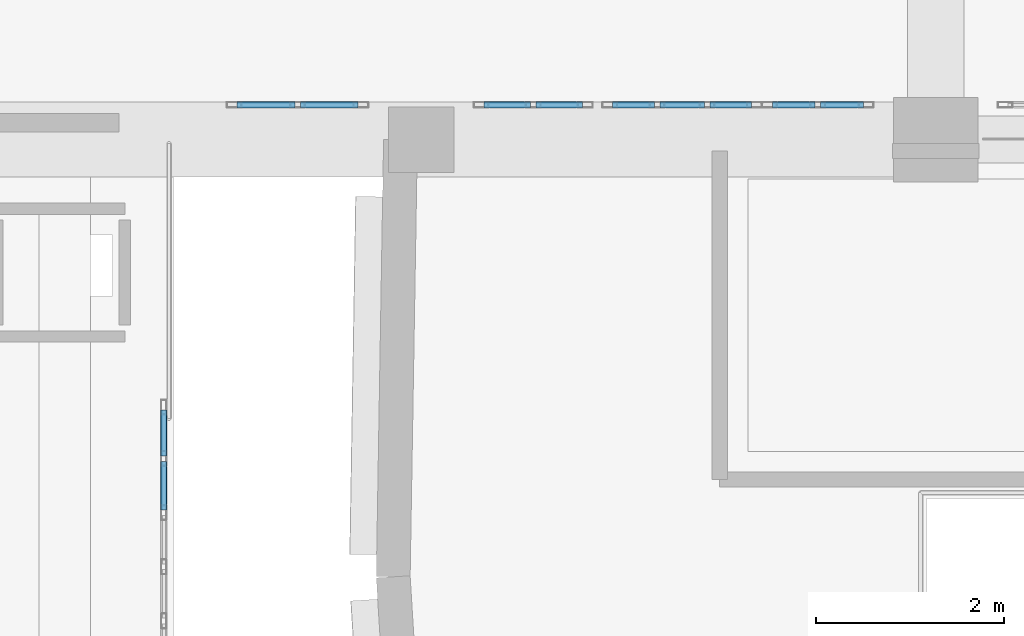
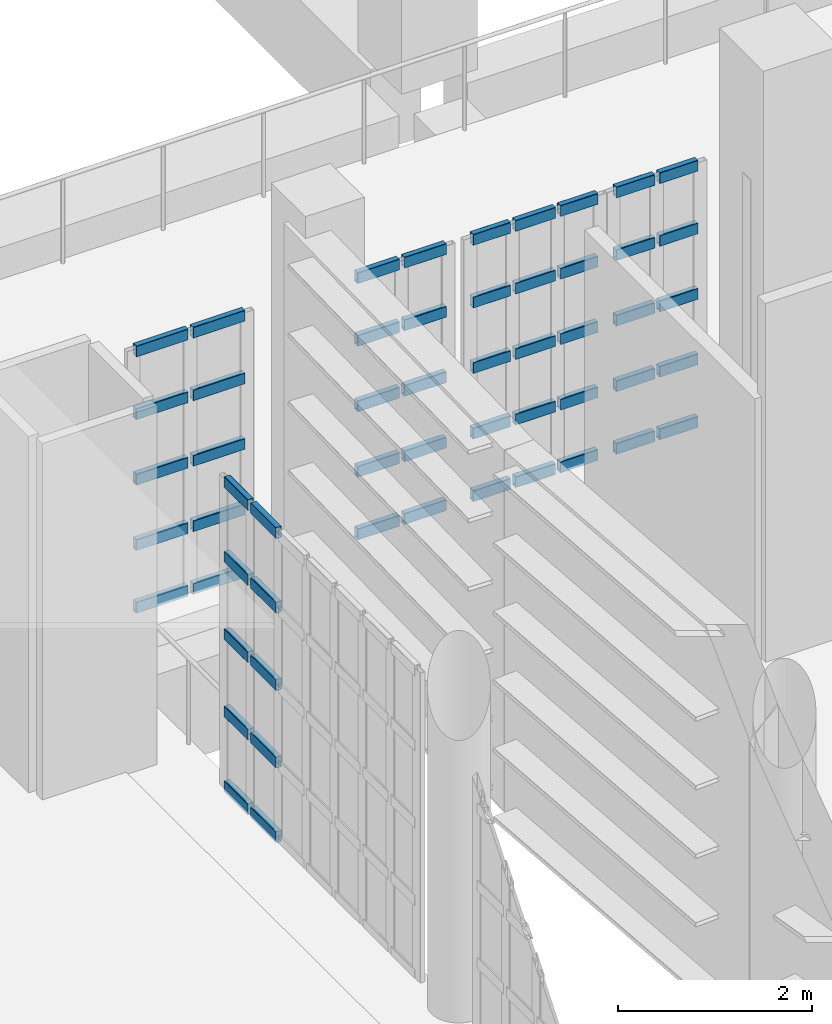
# One storey, part 63 of 104: 55 members, 5 elements without a shape of their own.
"""IFC4 building model written with IfcOpenShell, lengths in metres."""

from ifc_helpers import new_model, si_unit, direction, frame, origin, origin_2d, place, context, subcontext, project, spatial, hollow_rectangle, extrude, material, material_profile, profile_set, type_object, element, aggregate, save


model = new_model("IFC4")

# Units and contexts
model_context = context("Model", 3, precision=1e-05, world=origin(), true_north=direction((0.0, 1.0)))
body_context = subcontext(model_context, "Body", "Model", "MODEL_VIEW")
ifc_project = project(units=[si_unit("LENGTHUNIT", "METRE"), si_unit("AREAUNIT", "SQUARE_METRE"), si_unit("VOLUMEUNIT", "CUBIC_METRE"), si_unit("PLANEANGLEUNIT", "RADIAN"), si_unit("MASSUNIT", "GRAM", prefix="KILO")], contexts=[model_context])

# Site, building, storey
site_placement = place(None, origin())
site = spatial("IfcSite", under=ifc_project, at=site_placement, CompositionType="ELEMENT")
building_placement = place(site_placement, origin())
building = spatial("IfcBuilding", under=site, at=building_placement, Name="Kaelora Sail Theatre", CompositionType="ELEMENT")
storey_placement = place(building_placement, frame((0.0, 0.0, 5.39990234375)))
storey = spatial("IfcBuildingStorey", under=building, at=storey_placement, Name="L01", CompositionType="ELEMENT", Elevation=5.39990234375)

# Curtain wall, members
ifc_material_1 = material(Name="Anodised aluminium and solar-control low-E IGU", Category="aluminium")
curtain_wall_type = type_object("IfcCurtainWallType", Name="ARC-CW-CW-FOY2", PredefinedType="NOTDEFINED", material=ifc_material_1)
curtain_wall_1_placement = place(storey_placement, origin())
curtain_wall_1 = element("IfcCurtainWall", 1, at=curtain_wall_1_placement, inside=storey, type_object=curtain_wall_type, Name="West Interstitial Foyer East Glazed Return L01-03", PredefinedType="NOTDEFINED")
ifc_material_2 = material(Name="Anodised aluminium 6063-T6", Category="aluminium")
ifc_material_profile = material_profile(ifc_material_2, hollow_rectangle(XDim=0.070068359375, YDim=0.139892578125, WallThickness=0.00390625, InnerFilletRadius=0.00390625, OuterFilletRadius=0.008056640625, at=origin_2d()), Name="ALU-TRAN 70x140x4")
ifc_profile_set = profile_set([ifc_material_profile], Name="Anodised aluminium 6063-T6")
member_type = type_object("IfcMemberType", Name="ARC-MEM-TR-140", PredefinedType="USERDEFINED", material=ifc_profile_set)
member_1_placement = place(storey_placement, frame((74.280029296875, 57.0771484375, 0.03515625), z_axis=(0.0, 1.0, 0.0), x_axis=(-1.0, 0.0, 0.0)))
member_1 = element("IfcMember", 2, at=member_1_placement, type_object=member_type, Name="CW-FOY2 transom 6.1", ObjectType="TRANSOM", PredefinedType="USERDEFINED", context=body_context, shape_type="SweptSolid", body=[
    extrude(hollow_rectangle(XDim=0.070068359375, YDim=0.139892578125, WallThickness=0.00390625, InnerFilletRadius=0.00390625, OuterFilletRadius=0.008056640625, at=origin_2d()), origin(), (0.0, 0.0, 1.0), 0.516357421875),
])
member_2_placement = place(storey_placement, frame((74.280029296875, 57.0771484375, 0.971923828125), z_axis=(0.0, 1.0, 0.0), x_axis=(-1.0, 0.0, 0.0)))
member_2 = element("IfcMember", 3, at=member_2_placement, type_object=member_type, Name="CW-FOY2 transom 6.2", ObjectType="TRANSOM", PredefinedType="USERDEFINED", context=body_context, shape_type="SweptSolid", body=[
    extrude(hollow_rectangle(XDim=0.070068359375, YDim=0.139892578125, WallThickness=0.00390625, InnerFilletRadius=0.00390625, OuterFilletRadius=0.008056640625, at=origin_2d()), origin(), (0.0, 0.0, 1.0), 0.516357421875),
])
member_3_placement = place(storey_placement, frame((74.280029296875, 57.0771484375, 1.943603515625), z_axis=(0.0, 1.0, 0.0), x_axis=(-1.0, 0.0, 0.0)))
member_3 = element("IfcMember", 4, at=member_3_placement, type_object=member_type, Name="CW-FOY2 transom 6.3", ObjectType="TRANSOM", PredefinedType="USERDEFINED", context=body_context, shape_type="SweptSolid", body=[
    extrude(hollow_rectangle(XDim=0.070068359375, YDim=0.139892578125, WallThickness=0.00390625, InnerFilletRadius=0.00390625, OuterFilletRadius=0.008056640625, at=origin_2d()), origin(), (0.0, 0.0, 1.0), 0.516357421875),
])
member_4_placement = place(storey_placement, frame((74.280029296875, 57.0771484375, 2.915283203125), z_axis=(0.0, 1.0, 0.0), x_axis=(-1.0, 0.0, 0.0)))
member_4 = element("IfcMember", 5, at=member_4_placement, type_object=member_type, Name="CW-FOY2 transom 6.4", ObjectType="TRANSOM", PredefinedType="USERDEFINED", context=body_context, shape_type="SweptSolid", body=[
    extrude(hollow_rectangle(XDim=0.070068359375, YDim=0.139892578125, WallThickness=0.00390625, InnerFilletRadius=0.00390625, OuterFilletRadius=0.008056640625, at=origin_2d()), origin(), (0.0, 0.0, 1.0), 0.516357421875),
])
member_5_placement = place(storey_placement, frame((74.280029296875, 57.0771484375, 3.85205078125), z_axis=(0.0, 1.0, 0.0), x_axis=(-1.0, 0.0, 0.0)))
member_5 = element("IfcMember", 6, at=member_5_placement, type_object=member_type, Name="CW-FOY2 transom 6.5", ObjectType="TRANSOM", PredefinedType="USERDEFINED", context=body_context, shape_type="SweptSolid", body=[
    extrude(hollow_rectangle(XDim=0.070068359375, YDim=0.139892578125, WallThickness=0.00390625, InnerFilletRadius=0.00390625, OuterFilletRadius=0.008056640625, at=origin_2d()), origin(), (0.0, 0.0, 1.0), 0.516357421875),
])
member_6_placement = place(storey_placement, frame((74.280029296875, 57.653564453125, 0.03515625), z_axis=(0.0, 1.0, 0.0), x_axis=(-1.0, 0.0, 0.0)))
member_6 = element("IfcMember", 7, at=member_6_placement, type_object=member_type, Name="CW-FOY2 transom 7.1", ObjectType="TRANSOM", PredefinedType="USERDEFINED", context=body_context, shape_type="SweptSolid", body=[
    extrude(hollow_rectangle(XDim=0.070068359375, YDim=0.139892578125, WallThickness=0.00390625, InnerFilletRadius=0.00390625, OuterFilletRadius=0.008056640625, at=origin_2d()), origin(), (0.0, 0.0, 1.0), 0.486328125),
])
member_7_placement = place(storey_placement, frame((74.280029296875, 57.653564453125, 0.971923828125), z_axis=(0.0, 1.0, 0.0), x_axis=(-1.0, 0.0, 0.0)))
member_7 = element("IfcMember", 8, at=member_7_placement, type_object=member_type, Name="CW-FOY2 transom 7.2", ObjectType="TRANSOM", PredefinedType="USERDEFINED", context=body_context, shape_type="SweptSolid", body=[
    extrude(hollow_rectangle(XDim=0.070068359375, YDim=0.139892578125, WallThickness=0.00390625, InnerFilletRadius=0.00390625, OuterFilletRadius=0.008056640625, at=origin_2d()), origin(), (0.0, 0.0, 1.0), 0.486328125),
])
member_8_placement = place(storey_placement, frame((74.280029296875, 57.653564453125, 1.943603515625), z_axis=(0.0, 1.0, 0.0), x_axis=(-1.0, 0.0, 0.0)))
member_8 = element("IfcMember", 9, at=member_8_placement, type_object=member_type, Name="CW-FOY2 transom 7.3", ObjectType="TRANSOM", PredefinedType="USERDEFINED", context=body_context, shape_type="SweptSolid", body=[
    extrude(hollow_rectangle(XDim=0.070068359375, YDim=0.139892578125, WallThickness=0.00390625, InnerFilletRadius=0.00390625, OuterFilletRadius=0.008056640625, at=origin_2d()), origin(), (0.0, 0.0, 1.0), 0.486328125),
])
member_9_placement = place(storey_placement, frame((74.280029296875, 57.653564453125, 2.915283203125), z_axis=(0.0, 1.0, 0.0), x_axis=(-1.0, 0.0, 0.0)))
member_9 = element("IfcMember", 10, at=member_9_placement, type_object=member_type, Name="CW-FOY2 transom 7.4", ObjectType="TRANSOM", PredefinedType="USERDEFINED", context=body_context, shape_type="SweptSolid", body=[
    extrude(hollow_rectangle(XDim=0.070068359375, YDim=0.139892578125, WallThickness=0.00390625, InnerFilletRadius=0.00390625, OuterFilletRadius=0.008056640625, at=origin_2d()), origin(), (0.0, 0.0, 1.0), 0.486328125),
])
member_10_placement = place(storey_placement, frame((74.280029296875, 57.653564453125, 3.85205078125), z_axis=(0.0, 1.0, 0.0), x_axis=(-1.0, 0.0, 0.0)))
member_10 = element("IfcMember", 11, at=member_10_placement, type_object=member_type, Name="CW-FOY2 transom 7.5", ObjectType="TRANSOM", PredefinedType="USERDEFINED", context=body_context, shape_type="SweptSolid", body=[
    extrude(hollow_rectangle(XDim=0.070068359375, YDim=0.139892578125, WallThickness=0.00390625, InnerFilletRadius=0.00390625, OuterFilletRadius=0.008056640625, at=origin_2d()), origin(), (0.0, 0.0, 1.0), 0.486328125),
])
aggregate(curtain_wall_1, [member_1, member_2, member_3, member_4, member_5, member_6, member_7, member_8, member_9, member_10])

curtain_wall_2_placement = place(storey_placement, origin())
curtain_wall_2 = element("IfcCurtainWall", 12, at=curtain_wall_2_placement, inside=storey, type_object=curtain_wall_type, Name="Glazed Foyer/Conservatory Curtain Wall FC1-S-L01-01", PredefinedType="NOTDEFINED")
member_11_placement = place(storey_placement, frame((75.06005859375, 61.389892578125, 0.03515625), z_axis=(1.0, 0.0, 0.0), x_axis=(0.0, 1.0, 0.0)))
member_11 = element("IfcMember", 13, at=member_11_placement, type_object=member_type, Name="CW-FOY2 transom 1.1", ObjectType="TRANSOM", PredefinedType="USERDEFINED", context=body_context, shape_type="SweptSolid", body=[
    extrude(hollow_rectangle(XDim=0.070068359375, YDim=0.139892578125, WallThickness=0.00390625, InnerFilletRadius=0.00390625, OuterFilletRadius=0.008056640625, at=origin_2d()), origin(), (0.0, 0.0, 1.0), 0.614990234375),
])
member_12_placement = place(storey_placement, frame((75.06005859375, 61.389892578125, 0.82177734375), z_axis=(1.0, 0.0, 0.0), x_axis=(0.0, 1.0, 0.0)))
member_12 = element("IfcMember", 14, at=member_12_placement, type_object=member_type, Name="CW-FOY2 transom 1.2", ObjectType="TRANSOM", PredefinedType="USERDEFINED", context=body_context, shape_type="SweptSolid", body=[
    extrude(hollow_rectangle(XDim=0.070068359375, YDim=0.139892578125, WallThickness=0.00390625, InnerFilletRadius=0.00390625, OuterFilletRadius=0.008056640625, at=origin_2d()), origin(), (0.0, 0.0, 1.0), 0.614990234375),
])
member_13_placement = place(storey_placement, frame((75.06005859375, 61.389892578125, 1.6435546875), z_axis=(1.0, 0.0, 0.0), x_axis=(0.0, 1.0, 0.0)))
member_13 = element("IfcMember", 15, at=member_13_placement, type_object=member_type, Name="CW-FOY2 transom 1.3", ObjectType="TRANSOM", PredefinedType="USERDEFINED", context=body_context, shape_type="SweptSolid", body=[
    extrude(hollow_rectangle(XDim=0.070068359375, YDim=0.139892578125, WallThickness=0.00390625, InnerFilletRadius=0.00390625, OuterFilletRadius=0.008056640625, at=origin_2d()), origin(), (0.0, 0.0, 1.0), 0.614990234375),
])
member_14_placement = place(storey_placement, frame((75.06005859375, 61.389892578125, 2.46533203125), z_axis=(1.0, 0.0, 0.0), x_axis=(0.0, 1.0, 0.0)))
member_14 = element("IfcMember", 16, at=member_14_placement, type_object=member_type, Name="CW-FOY2 transom 1.4", ObjectType="TRANSOM", PredefinedType="USERDEFINED", context=body_context, shape_type="SweptSolid", body=[
    extrude(hollow_rectangle(XDim=0.070068359375, YDim=0.139892578125, WallThickness=0.00390625, InnerFilletRadius=0.00390625, OuterFilletRadius=0.008056640625, at=origin_2d()), origin(), (0.0, 0.0, 1.0), 0.614990234375),
])
member_15_placement = place(storey_placement, frame((75.06005859375, 61.389892578125, 3.252197265625), z_axis=(1.0, 0.0, 0.0), x_axis=(0.0, 1.0, 0.0)))
member_15 = element("IfcMember", 17, at=member_15_placement, type_object=member_type, Name="CW-FOY2 transom 1.5", ObjectType="TRANSOM", PredefinedType="USERDEFINED", context=body_context, shape_type="SweptSolid", body=[
    extrude(hollow_rectangle(XDim=0.070068359375, YDim=0.139892578125, WallThickness=0.00390625, InnerFilletRadius=0.00390625, OuterFilletRadius=0.008056640625, at=origin_2d()), origin(), (0.0, 0.0, 1.0), 0.614990234375),
])
member_16_placement = place(storey_placement, frame((75.735107421875, 61.389892578125, 0.03515625), z_axis=(1.0, 0.0, 0.0), x_axis=(0.0, 1.0, 0.0)))
member_16 = element("IfcMember", 18, at=member_16_placement, type_object=member_type, Name="CW-FOY2 transom 2.1", ObjectType="TRANSOM", PredefinedType="USERDEFINED", context=body_context, shape_type="SweptSolid", body=[
    extrude(hollow_rectangle(XDim=0.070068359375, YDim=0.139892578125, WallThickness=0.00390625, InnerFilletRadius=0.00390625, OuterFilletRadius=0.008056640625, at=origin_2d()), origin(), (0.0, 0.0, 1.0), 0.614990234375),
])
member_17_placement = place(storey_placement, frame((75.735107421875, 61.389892578125, 0.82177734375), z_axis=(1.0, 0.0, 0.0), x_axis=(0.0, 1.0, 0.0)))
member_17 = element("IfcMember", 19, at=member_17_placement, type_object=member_type, Name="CW-FOY2 transom 2.2", ObjectType="TRANSOM", PredefinedType="USERDEFINED", context=body_context, shape_type="SweptSolid", body=[
    extrude(hollow_rectangle(XDim=0.070068359375, YDim=0.139892578125, WallThickness=0.00390625, InnerFilletRadius=0.00390625, OuterFilletRadius=0.008056640625, at=origin_2d()), origin(), (0.0, 0.0, 1.0), 0.614990234375),
])
member_18_placement = place(storey_placement, frame((75.735107421875, 61.389892578125, 1.6435546875), z_axis=(1.0, 0.0, 0.0), x_axis=(0.0, 1.0, 0.0)))
member_18 = element("IfcMember", 20, at=member_18_placement, type_object=member_type, Name="CW-FOY2 transom 2.3", ObjectType="TRANSOM", PredefinedType="USERDEFINED", context=body_context, shape_type="SweptSolid", body=[
    extrude(hollow_rectangle(XDim=0.070068359375, YDim=0.139892578125, WallThickness=0.00390625, InnerFilletRadius=0.00390625, OuterFilletRadius=0.008056640625, at=origin_2d()), origin(), (0.0, 0.0, 1.0), 0.614990234375),
])
member_19_placement = place(storey_placement, frame((75.735107421875, 61.389892578125, 2.46533203125), z_axis=(1.0, 0.0, 0.0), x_axis=(0.0, 1.0, 0.0)))
member_19 = element("IfcMember", 21, at=member_19_placement, type_object=member_type, Name="CW-FOY2 transom 2.4", ObjectType="TRANSOM", PredefinedType="USERDEFINED", context=body_context, shape_type="SweptSolid", body=[
    extrude(hollow_rectangle(XDim=0.070068359375, YDim=0.139892578125, WallThickness=0.00390625, InnerFilletRadius=0.00390625, OuterFilletRadius=0.008056640625, at=origin_2d()), origin(), (0.0, 0.0, 1.0), 0.614990234375),
])
member_20_placement = place(storey_placement, frame((75.735107421875, 61.389892578125, 3.252197265625), z_axis=(1.0, 0.0, 0.0), x_axis=(0.0, 1.0, 0.0)))
member_20 = element("IfcMember", 22, at=member_20_placement, type_object=member_type, Name="CW-FOY2 transom 2.5", ObjectType="TRANSOM", PredefinedType="USERDEFINED", context=body_context, shape_type="SweptSolid", body=[
    extrude(hollow_rectangle(XDim=0.070068359375, YDim=0.139892578125, WallThickness=0.00390625, InnerFilletRadius=0.00390625, OuterFilletRadius=0.008056640625, at=origin_2d()), origin(), (0.0, 0.0, 1.0), 0.614990234375),
])
aggregate(curtain_wall_2, [member_11, member_12, member_13, member_14, member_15, member_16, member_17, member_18, member_19, member_20])

curtain_wall_3_placement = place(storey_placement, origin())
curtain_wall_3 = element("IfcCurtainWall", 23, at=curtain_wall_3_placement, inside=storey, type_object=curtain_wall_type, Name="Glazed Foyer/Conservatory Curtain Wall FC1-S-L01-02", PredefinedType="NOTDEFINED")
member_21_placement = place(storey_placement, frame((77.68994140625, 61.389892578125, 0.03515625), z_axis=(1.0, 0.0, 0.0), x_axis=(0.0, 1.0, 0.0)))
member_21 = element("IfcMember", 24, at=member_21_placement, type_object=member_type, Name="CW-FOY2 transom 1.1", ObjectType="TRANSOM", PredefinedType="USERDEFINED", context=body_context, shape_type="SweptSolid", body=[
    extrude(hollow_rectangle(XDim=0.070068359375, YDim=0.139892578125, WallThickness=0.00390625, InnerFilletRadius=0.00390625, OuterFilletRadius=0.008056640625, at=origin_2d()), origin(), (0.0, 0.0, 1.0), 0.4951171875),
])
member_22_placement = place(storey_placement, frame((77.68994140625, 61.389892578125, 0.82177734375), z_axis=(1.0, 0.0, 0.0), x_axis=(0.0, 1.0, 0.0)))
member_22 = element("IfcMember", 25, at=member_22_placement, type_object=member_type, Name="CW-FOY2 transom 1.2", ObjectType="TRANSOM", PredefinedType="USERDEFINED", context=body_context, shape_type="SweptSolid", body=[
    extrude(hollow_rectangle(XDim=0.070068359375, YDim=0.139892578125, WallThickness=0.00390625, InnerFilletRadius=0.00390625, OuterFilletRadius=0.008056640625, at=origin_2d()), origin(), (0.0, 0.0, 1.0), 0.4951171875),
])
member_23_placement = place(storey_placement, frame((77.68994140625, 61.389892578125, 1.6435546875), z_axis=(1.0, 0.0, 0.0), x_axis=(0.0, 1.0, 0.0)))
member_23 = element("IfcMember", 26, at=member_23_placement, type_object=member_type, Name="CW-FOY2 transom 1.3", ObjectType="TRANSOM", PredefinedType="USERDEFINED", context=body_context, shape_type="SweptSolid", body=[
    extrude(hollow_rectangle(XDim=0.070068359375, YDim=0.139892578125, WallThickness=0.00390625, InnerFilletRadius=0.00390625, OuterFilletRadius=0.008056640625, at=origin_2d()), origin(), (0.0, 0.0, 1.0), 0.4951171875),
])
member_24_placement = place(storey_placement, frame((77.68994140625, 61.389892578125, 2.46533203125), z_axis=(1.0, 0.0, 0.0), x_axis=(0.0, 1.0, 0.0)))
member_24 = element("IfcMember", 27, at=member_24_placement, type_object=member_type, Name="CW-FOY2 transom 1.4", ObjectType="TRANSOM", PredefinedType="USERDEFINED", context=body_context, shape_type="SweptSolid", body=[
    extrude(hollow_rectangle(XDim=0.070068359375, YDim=0.139892578125, WallThickness=0.00390625, InnerFilletRadius=0.00390625, OuterFilletRadius=0.008056640625, at=origin_2d()), origin(), (0.0, 0.0, 1.0), 0.4951171875),
])
member_25_placement = place(storey_placement, frame((77.68994140625, 61.389892578125, 3.252197265625), z_axis=(1.0, 0.0, 0.0), x_axis=(0.0, 1.0, 0.0)))
member_25 = element("IfcMember", 28, at=member_25_placement, type_object=member_type, Name="CW-FOY2 transom 1.5", ObjectType="TRANSOM", PredefinedType="USERDEFINED", context=body_context, shape_type="SweptSolid", body=[
    extrude(hollow_rectangle(XDim=0.070068359375, YDim=0.139892578125, WallThickness=0.00390625, InnerFilletRadius=0.00390625, OuterFilletRadius=0.008056640625, at=origin_2d()), origin(), (0.0, 0.0, 1.0), 0.4951171875),
])
member_26_placement = place(storey_placement, frame((78.2451171875, 61.389892578125, 0.03515625), z_axis=(1.0, 0.0, 0.0), x_axis=(0.0, 1.0, 0.0)))
member_26 = element("IfcMember", 29, at=member_26_placement, type_object=member_type, Name="CW-FOY2 transom 2.1", ObjectType="TRANSOM", PredefinedType="USERDEFINED", context=body_context, shape_type="SweptSolid", body=[
    extrude(hollow_rectangle(XDim=0.070068359375, YDim=0.139892578125, WallThickness=0.00390625, InnerFilletRadius=0.00390625, OuterFilletRadius=0.008056640625, at=origin_2d()), origin(), (0.0, 0.0, 1.0), 0.494873046875),
])
member_27_placement = place(storey_placement, frame((78.2451171875, 61.389892578125, 0.82177734375), z_axis=(1.0, 0.0, 0.0), x_axis=(0.0, 1.0, 0.0)))
member_27 = element("IfcMember", 30, at=member_27_placement, type_object=member_type, Name="CW-FOY2 transom 2.2", ObjectType="TRANSOM", PredefinedType="USERDEFINED", context=body_context, shape_type="SweptSolid", body=[
    extrude(hollow_rectangle(XDim=0.070068359375, YDim=0.139892578125, WallThickness=0.00390625, InnerFilletRadius=0.00390625, OuterFilletRadius=0.008056640625, at=origin_2d()), origin(), (0.0, 0.0, 1.0), 0.494873046875),
])
member_28_placement = place(storey_placement, frame((78.2451171875, 61.389892578125, 1.6435546875), z_axis=(1.0, 0.0, 0.0), x_axis=(0.0, 1.0, 0.0)))
member_28 = element("IfcMember", 31, at=member_28_placement, type_object=member_type, Name="CW-FOY2 transom 2.3", ObjectType="TRANSOM", PredefinedType="USERDEFINED", context=body_context, shape_type="SweptSolid", body=[
    extrude(hollow_rectangle(XDim=0.070068359375, YDim=0.139892578125, WallThickness=0.00390625, InnerFilletRadius=0.00390625, OuterFilletRadius=0.008056640625, at=origin_2d()), origin(), (0.0, 0.0, 1.0), 0.494873046875),
])
member_29_placement = place(storey_placement, frame((78.2451171875, 61.389892578125, 2.46533203125), z_axis=(1.0, 0.0, 0.0), x_axis=(0.0, 1.0, 0.0)))
member_29 = element("IfcMember", 32, at=member_29_placement, type_object=member_type, Name="CW-FOY2 transom 2.4", ObjectType="TRANSOM", PredefinedType="USERDEFINED", context=body_context, shape_type="SweptSolid", body=[
    extrude(hollow_rectangle(XDim=0.070068359375, YDim=0.139892578125, WallThickness=0.00390625, InnerFilletRadius=0.00390625, OuterFilletRadius=0.008056640625, at=origin_2d()), origin(), (0.0, 0.0, 1.0), 0.494873046875),
])
member_30_placement = place(storey_placement, frame((78.2451171875, 61.389892578125, 3.252197265625), z_axis=(1.0, 0.0, 0.0), x_axis=(0.0, 1.0, 0.0)))
member_30 = element("IfcMember", 33, at=member_30_placement, type_object=member_type, Name="CW-FOY2 transom 2.5", ObjectType="TRANSOM", PredefinedType="USERDEFINED", context=body_context, shape_type="SweptSolid", body=[
    extrude(hollow_rectangle(XDim=0.070068359375, YDim=0.139892578125, WallThickness=0.00390625, InnerFilletRadius=0.00390625, OuterFilletRadius=0.008056640625, at=origin_2d()), origin(), (0.0, 0.0, 1.0), 0.494873046875),
])
aggregate(curtain_wall_3, [member_21, member_22, member_23, member_24, member_25, member_26, member_27, member_28, member_29, member_30])

curtain_wall_4_placement = place(storey_placement, origin())
curtain_wall_4 = element("IfcCurtainWall", 34, at=curtain_wall_4_placement, inside=storey, type_object=curtain_wall_type, Name="Glazed Foyer/Conservatory Curtain Wall FC1-S-L01-03", PredefinedType="NOTDEFINED")
member_31_placement = place(storey_placement, frame((79.06005859375, 61.389892578125, 0.03515625), z_axis=(1.0, 0.0, 0.0), x_axis=(0.0, 1.0, 0.0)))
member_31 = element("IfcMember", 35, at=member_31_placement, type_object=member_type, Name="CW-FOY2 transom 1.1", ObjectType="TRANSOM", PredefinedType="USERDEFINED", context=body_context, shape_type="SweptSolid", body=[
    extrude(hollow_rectangle(XDim=0.070068359375, YDim=0.139892578125, WallThickness=0.00390625, InnerFilletRadius=0.00390625, OuterFilletRadius=0.008056640625, at=origin_2d()), origin(), (0.0, 0.0, 1.0), 0.443359375),
])
member_32_placement = place(storey_placement, frame((79.06005859375, 61.389892578125, 0.82177734375), z_axis=(1.0, 0.0, 0.0), x_axis=(0.0, 1.0, 0.0)))
member_32 = element("IfcMember", 36, at=member_32_placement, type_object=member_type, Name="CW-FOY2 transom 1.2", ObjectType="TRANSOM", PredefinedType="USERDEFINED", context=body_context, shape_type="SweptSolid", body=[
    extrude(hollow_rectangle(XDim=0.070068359375, YDim=0.139892578125, WallThickness=0.00390625, InnerFilletRadius=0.00390625, OuterFilletRadius=0.008056640625, at=origin_2d()), origin(), (0.0, 0.0, 1.0), 0.443359375),
])
member_33_placement = place(storey_placement, frame((79.06005859375, 61.389892578125, 1.6435546875), z_axis=(1.0, 0.0, 0.0), x_axis=(0.0, 1.0, 0.0)))
member_33 = element("IfcMember", 37, at=member_33_placement, type_object=member_type, Name="CW-FOY2 transom 1.3", ObjectType="TRANSOM", PredefinedType="USERDEFINED", context=body_context, shape_type="SweptSolid", body=[
    extrude(hollow_rectangle(XDim=0.070068359375, YDim=0.139892578125, WallThickness=0.00390625, InnerFilletRadius=0.00390625, OuterFilletRadius=0.008056640625, at=origin_2d()), origin(), (0.0, 0.0, 1.0), 0.443359375),
])
member_34_placement = place(storey_placement, frame((79.06005859375, 61.389892578125, 2.46533203125), z_axis=(1.0, 0.0, 0.0), x_axis=(0.0, 1.0, 0.0)))
member_34 = element("IfcMember", 38, at=member_34_placement, type_object=member_type, Name="CW-FOY2 transom 1.4", ObjectType="TRANSOM", PredefinedType="USERDEFINED", context=body_context, shape_type="SweptSolid", body=[
    extrude(hollow_rectangle(XDim=0.070068359375, YDim=0.139892578125, WallThickness=0.00390625, InnerFilletRadius=0.00390625, OuterFilletRadius=0.008056640625, at=origin_2d()), origin(), (0.0, 0.0, 1.0), 0.443359375),
])
member_35_placement = place(storey_placement, frame((79.06005859375, 61.389892578125, 3.252197265625), z_axis=(1.0, 0.0, 0.0), x_axis=(0.0, 1.0, 0.0)))
member_35 = element("IfcMember", 39, at=member_35_placement, type_object=member_type, Name="CW-FOY2 transom 1.5", ObjectType="TRANSOM", PredefinedType="USERDEFINED", context=body_context, shape_type="SweptSolid", body=[
    extrude(hollow_rectangle(XDim=0.070068359375, YDim=0.139892578125, WallThickness=0.00390625, InnerFilletRadius=0.00390625, OuterFilletRadius=0.008056640625, at=origin_2d()), origin(), (0.0, 0.0, 1.0), 0.443359375),
])
member_36_placement = place(storey_placement, frame((79.563232421875, 61.389892578125, 0.03515625), z_axis=(1.0, 0.0, 0.0), x_axis=(0.0, 1.0, 0.0)))
member_36 = element("IfcMember", 40, at=member_36_placement, type_object=member_type, Name="CW-FOY2 transom 2.1", ObjectType="TRANSOM", PredefinedType="USERDEFINED", context=body_context, shape_type="SweptSolid", body=[
    extrude(hollow_rectangle(XDim=0.070068359375, YDim=0.139892578125, WallThickness=0.00390625, InnerFilletRadius=0.00390625, OuterFilletRadius=0.008056640625, at=origin_2d()), origin(), (0.0, 0.0, 1.0), 0.473388671875),
])
member_37_placement = place(storey_placement, frame((79.563232421875, 61.389892578125, 0.82177734375), z_axis=(1.0, 0.0, 0.0), x_axis=(0.0, 1.0, 0.0)))
member_37 = element("IfcMember", 41, at=member_37_placement, type_object=member_type, Name="CW-FOY2 transom 2.2", ObjectType="TRANSOM", PredefinedType="USERDEFINED", context=body_context, shape_type="SweptSolid", body=[
    extrude(hollow_rectangle(XDim=0.070068359375, YDim=0.139892578125, WallThickness=0.00390625, InnerFilletRadius=0.00390625, OuterFilletRadius=0.008056640625, at=origin_2d()), origin(), (0.0, 0.0, 1.0), 0.473388671875),
])
member_38_placement = place(storey_placement, frame((79.563232421875, 61.389892578125, 1.6435546875), z_axis=(1.0, 0.0, 0.0), x_axis=(0.0, 1.0, 0.0)))
member_38 = element("IfcMember", 42, at=member_38_placement, type_object=member_type, Name="CW-FOY2 transom 2.3", ObjectType="TRANSOM", PredefinedType="USERDEFINED", context=body_context, shape_type="SweptSolid", body=[
    extrude(hollow_rectangle(XDim=0.070068359375, YDim=0.139892578125, WallThickness=0.00390625, InnerFilletRadius=0.00390625, OuterFilletRadius=0.008056640625, at=origin_2d()), origin(), (0.0, 0.0, 1.0), 0.473388671875),
])
member_39_placement = place(storey_placement, frame((79.563232421875, 61.389892578125, 2.46533203125), z_axis=(1.0, 0.0, 0.0), x_axis=(0.0, 1.0, 0.0)))
member_39 = element("IfcMember", 43, at=member_39_placement, type_object=member_type, Name="CW-FOY2 transom 2.4", ObjectType="TRANSOM", PredefinedType="USERDEFINED", context=body_context, shape_type="SweptSolid", body=[
    extrude(hollow_rectangle(XDim=0.070068359375, YDim=0.139892578125, WallThickness=0.00390625, InnerFilletRadius=0.00390625, OuterFilletRadius=0.008056640625, at=origin_2d()), origin(), (0.0, 0.0, 1.0), 0.473388671875),
])
member_40_placement = place(storey_placement, frame((79.563232421875, 61.389892578125, 3.252197265625), z_axis=(1.0, 0.0, 0.0), x_axis=(0.0, 1.0, 0.0)))
member_40 = element("IfcMember", 44, at=member_40_placement, type_object=member_type, Name="CW-FOY2 transom 2.5", ObjectType="TRANSOM", PredefinedType="USERDEFINED", context=body_context, shape_type="SweptSolid", body=[
    extrude(hollow_rectangle(XDim=0.070068359375, YDim=0.139892578125, WallThickness=0.00390625, InnerFilletRadius=0.00390625, OuterFilletRadius=0.008056640625, at=origin_2d()), origin(), (0.0, 0.0, 1.0), 0.473388671875),
])
member_41_placement = place(storey_placement, frame((80.0966796875, 61.389892578125, 0.03515625), z_axis=(1.0, 0.0, 0.0), x_axis=(0.0, 1.0, 0.0)))
member_41 = element("IfcMember", 45, at=member_41_placement, type_object=member_type, Name="CW-FOY2 transom 3.1", ObjectType="TRANSOM", PredefinedType="USERDEFINED", context=body_context, shape_type="SweptSolid", body=[
    extrude(hollow_rectangle(XDim=0.070068359375, YDim=0.139892578125, WallThickness=0.00390625, InnerFilletRadius=0.00390625, OuterFilletRadius=0.008056640625, at=origin_2d()), origin(), (0.0, 0.0, 1.0), 0.443359375),
])
member_42_placement = place(storey_placement, frame((80.0966796875, 61.389892578125, 0.82177734375), z_axis=(1.0, 0.0, 0.0), x_axis=(0.0, 1.0, 0.0)))
member_42 = element("IfcMember", 46, at=member_42_placement, type_object=member_type, Name="CW-FOY2 transom 3.2", ObjectType="TRANSOM", PredefinedType="USERDEFINED", context=body_context, shape_type="SweptSolid", body=[
    extrude(hollow_rectangle(XDim=0.070068359375, YDim=0.139892578125, WallThickness=0.00390625, InnerFilletRadius=0.00390625, OuterFilletRadius=0.008056640625, at=origin_2d()), origin(), (0.0, 0.0, 1.0), 0.443359375),
])
member_43_placement = place(storey_placement, frame((80.0966796875, 61.389892578125, 1.6435546875), z_axis=(1.0, 0.0, 0.0), x_axis=(0.0, 1.0, 0.0)))
member_43 = element("IfcMember", 47, at=member_43_placement, type_object=member_type, Name="CW-FOY2 transom 3.3", ObjectType="TRANSOM", PredefinedType="USERDEFINED", context=body_context, shape_type="SweptSolid", body=[
    extrude(hollow_rectangle(XDim=0.070068359375, YDim=0.139892578125, WallThickness=0.00390625, InnerFilletRadius=0.00390625, OuterFilletRadius=0.008056640625, at=origin_2d()), origin(), (0.0, 0.0, 1.0), 0.443359375),
])
member_44_placement = place(storey_placement, frame((80.0966796875, 61.389892578125, 2.46533203125), z_axis=(1.0, 0.0, 0.0), x_axis=(0.0, 1.0, 0.0)))
member_44 = element("IfcMember", 48, at=member_44_placement, type_object=member_type, Name="CW-FOY2 transom 3.4", ObjectType="TRANSOM", PredefinedType="USERDEFINED", context=body_context, shape_type="SweptSolid", body=[
    extrude(hollow_rectangle(XDim=0.070068359375, YDim=0.139892578125, WallThickness=0.00390625, InnerFilletRadius=0.00390625, OuterFilletRadius=0.008056640625, at=origin_2d()), origin(), (0.0, 0.0, 1.0), 0.443359375),
])
member_45_placement = place(storey_placement, frame((80.0966796875, 61.389892578125, 3.252197265625), z_axis=(1.0, 0.0, 0.0), x_axis=(0.0, 1.0, 0.0)))
member_45 = element("IfcMember", 49, at=member_45_placement, type_object=member_type, Name="CW-FOY2 transom 3.5", ObjectType="TRANSOM", PredefinedType="USERDEFINED", context=body_context, shape_type="SweptSolid", body=[
    extrude(hollow_rectangle(XDim=0.070068359375, YDim=0.139892578125, WallThickness=0.00390625, InnerFilletRadius=0.00390625, OuterFilletRadius=0.008056640625, at=origin_2d()), origin(), (0.0, 0.0, 1.0), 0.443359375),
])
aggregate(curtain_wall_4, [member_31, member_32, member_33, member_34, member_35, member_36, member_37, member_38, member_39, member_40, member_41, member_42, member_43, member_44, member_45])

curtain_wall_5_placement = place(storey_placement, origin())
curtain_wall_5 = element("IfcCurtainWall", 50, at=curtain_wall_5_placement, inside=storey, type_object=curtain_wall_type, Name="Glazed Foyer/Conservatory Curtain Wall FC1-S-L01-04", PredefinedType="NOTDEFINED")
member_46_placement = place(storey_placement, frame((80.760009765625, 61.389892578125, 0.03515625), z_axis=(1.0, 0.0, 0.0), x_axis=(0.0, 1.0, 0.0)))
member_46 = element("IfcMember", 51, at=member_46_placement, type_object=member_type, Name="CW-FOY2 transom 1.1", ObjectType="TRANSOM", PredefinedType="USERDEFINED", context=body_context, shape_type="SweptSolid", body=[
    extrude(hollow_rectangle(XDim=0.070068359375, YDim=0.139892578125, WallThickness=0.00390625, InnerFilletRadius=0.00390625, OuterFilletRadius=0.008056640625, at=origin_2d()), origin(), (0.0, 0.0, 1.0), 0.455078125),
])
member_47_placement = place(storey_placement, frame((80.760009765625, 61.389892578125, 0.82177734375), z_axis=(1.0, 0.0, 0.0), x_axis=(0.0, 1.0, 0.0)))
member_47 = element("IfcMember", 52, at=member_47_placement, type_object=member_type, Name="CW-FOY2 transom 1.2", ObjectType="TRANSOM", PredefinedType="USERDEFINED", context=body_context, shape_type="SweptSolid", body=[
    extrude(hollow_rectangle(XDim=0.070068359375, YDim=0.139892578125, WallThickness=0.00390625, InnerFilletRadius=0.00390625, OuterFilletRadius=0.008056640625, at=origin_2d()), origin(), (0.0, 0.0, 1.0), 0.455078125),
])
member_48_placement = place(storey_placement, frame((80.760009765625, 61.389892578125, 1.6435546875), z_axis=(1.0, 0.0, 0.0), x_axis=(0.0, 1.0, 0.0)))
member_48 = element("IfcMember", 53, at=member_48_placement, type_object=member_type, Name="CW-FOY2 transom 1.3", ObjectType="TRANSOM", PredefinedType="USERDEFINED", context=body_context, shape_type="SweptSolid", body=[
    extrude(hollow_rectangle(XDim=0.070068359375, YDim=0.139892578125, WallThickness=0.00390625, InnerFilletRadius=0.00390625, OuterFilletRadius=0.008056640625, at=origin_2d()), origin(), (0.0, 0.0, 1.0), 0.455078125),
])
member_49_placement = place(storey_placement, frame((80.760009765625, 61.389892578125, 2.46533203125), z_axis=(1.0, 0.0, 0.0), x_axis=(0.0, 1.0, 0.0)))
member_49 = element("IfcMember", 54, at=member_49_placement, type_object=member_type, Name="CW-FOY2 transom 1.4", ObjectType="TRANSOM", PredefinedType="USERDEFINED", context=body_context, shape_type="SweptSolid", body=[
    extrude(hollow_rectangle(XDim=0.070068359375, YDim=0.139892578125, WallThickness=0.00390625, InnerFilletRadius=0.00390625, OuterFilletRadius=0.008056640625, at=origin_2d()), origin(), (0.0, 0.0, 1.0), 0.455078125),
])
member_50_placement = place(storey_placement, frame((80.760009765625, 61.389892578125, 3.252197265625), z_axis=(1.0, 0.0, 0.0), x_axis=(0.0, 1.0, 0.0)))
member_50 = element("IfcMember", 55, at=member_50_placement, type_object=member_type, Name="CW-FOY2 transom 1.5", ObjectType="TRANSOM", PredefinedType="USERDEFINED", context=body_context, shape_type="SweptSolid", body=[
    extrude(hollow_rectangle(XDim=0.070068359375, YDim=0.139892578125, WallThickness=0.00390625, InnerFilletRadius=0.00390625, OuterFilletRadius=0.008056640625, at=origin_2d()), origin(), (0.0, 0.0, 1.0), 0.455078125),
])
member_51_placement = place(storey_placement, frame((81.27490234375, 61.389892578125, 0.03515625), z_axis=(1.0, 0.0, 0.0), x_axis=(0.0, 1.0, 0.0)))
member_51 = element("IfcMember", 56, at=member_51_placement, type_object=member_type, Name="CW-FOY2 transom 2.1", ObjectType="TRANSOM", PredefinedType="USERDEFINED", context=body_context, shape_type="SweptSolid", body=[
    extrude(hollow_rectangle(XDim=0.070068359375, YDim=0.139892578125, WallThickness=0.00390625, InnerFilletRadius=0.00390625, OuterFilletRadius=0.008056640625, at=origin_2d()), origin(), (0.0, 0.0, 1.0), 0.455078125),
])
member_52_placement = place(storey_placement, frame((81.27490234375, 61.389892578125, 0.82177734375), z_axis=(1.0, 0.0, 0.0), x_axis=(0.0, 1.0, 0.0)))
member_52 = element("IfcMember", 57, at=member_52_placement, type_object=member_type, Name="CW-FOY2 transom 2.2", ObjectType="TRANSOM", PredefinedType="USERDEFINED", context=body_context, shape_type="SweptSolid", body=[
    extrude(hollow_rectangle(XDim=0.070068359375, YDim=0.139892578125, WallThickness=0.00390625, InnerFilletRadius=0.00390625, OuterFilletRadius=0.008056640625, at=origin_2d()), origin(), (0.0, 0.0, 1.0), 0.455078125),
])
member_53_placement = place(storey_placement, frame((81.27490234375, 61.389892578125, 1.6435546875), z_axis=(1.0, 0.0, 0.0), x_axis=(0.0, 1.0, 0.0)))
member_53 = element("IfcMember", 58, at=member_53_placement, type_object=member_type, Name="CW-FOY2 transom 2.3", ObjectType="TRANSOM", PredefinedType="USERDEFINED", context=body_context, shape_type="SweptSolid", body=[
    extrude(hollow_rectangle(XDim=0.070068359375, YDim=0.139892578125, WallThickness=0.00390625, InnerFilletRadius=0.00390625, OuterFilletRadius=0.008056640625, at=origin_2d()), origin(), (0.0, 0.0, 1.0), 0.455078125),
])
member_54_placement = place(storey_placement, frame((81.27490234375, 61.389892578125, 2.46533203125), z_axis=(1.0, 0.0, 0.0), x_axis=(0.0, 1.0, 0.0)))
member_54 = element("IfcMember", 59, at=member_54_placement, type_object=member_type, Name="CW-FOY2 transom 2.4", ObjectType="TRANSOM", PredefinedType="USERDEFINED", context=body_context, shape_type="SweptSolid", body=[
    extrude(hollow_rectangle(XDim=0.070068359375, YDim=0.139892578125, WallThickness=0.00390625, InnerFilletRadius=0.00390625, OuterFilletRadius=0.008056640625, at=origin_2d()), origin(), (0.0, 0.0, 1.0), 0.455078125),
])
member_55_placement = place(storey_placement, frame((81.27490234375, 61.389892578125, 3.252197265625), z_axis=(1.0, 0.0, 0.0), x_axis=(0.0, 1.0, 0.0)))
member_55 = element("IfcMember", 60, at=member_55_placement, type_object=member_type, Name="CW-FOY2 transom 2.5", ObjectType="TRANSOM", PredefinedType="USERDEFINED", context=body_context, shape_type="SweptSolid", body=[
    extrude(hollow_rectangle(XDim=0.070068359375, YDim=0.139892578125, WallThickness=0.00390625, InnerFilletRadius=0.00390625, OuterFilletRadius=0.008056640625, at=origin_2d()), origin(), (0.0, 0.0, 1.0), 0.455078125),
])
aggregate(curtain_wall_5, [member_46, member_47, member_48, member_49, member_50, member_51, member_52, member_53, member_54, member_55])

save(model, "model.ifc")
